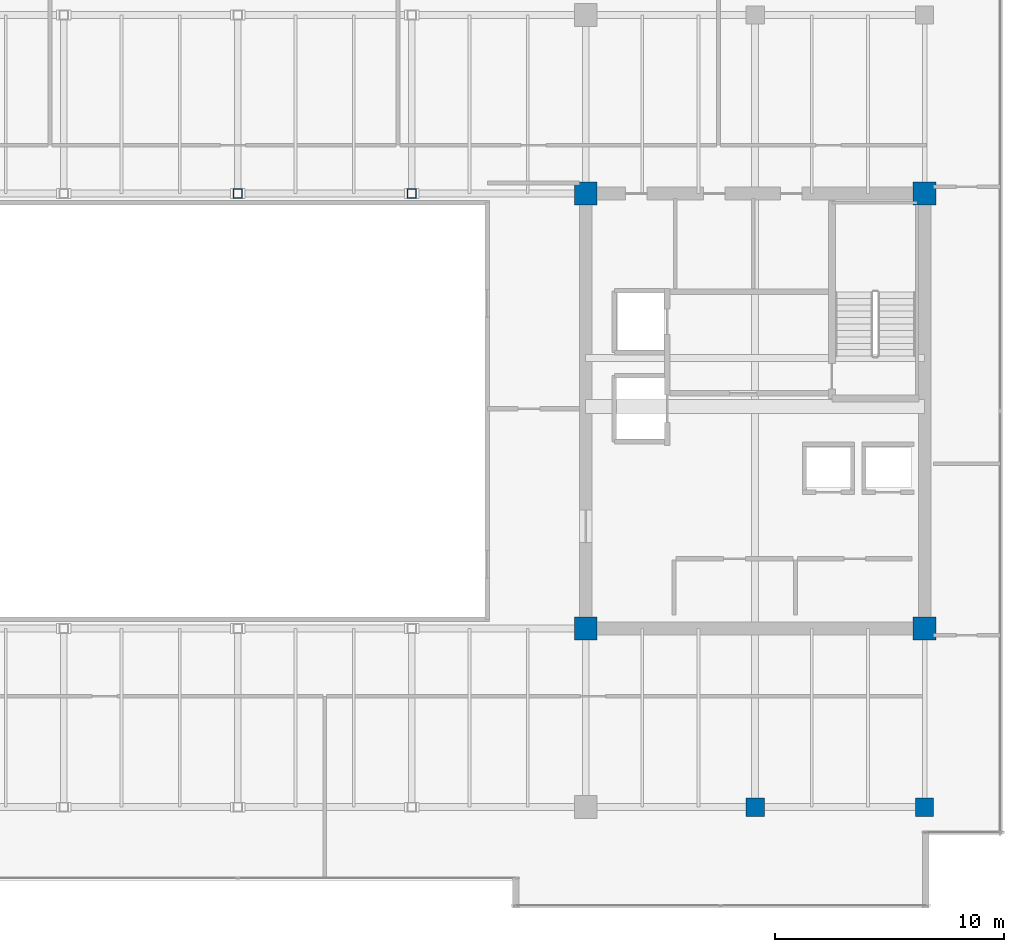
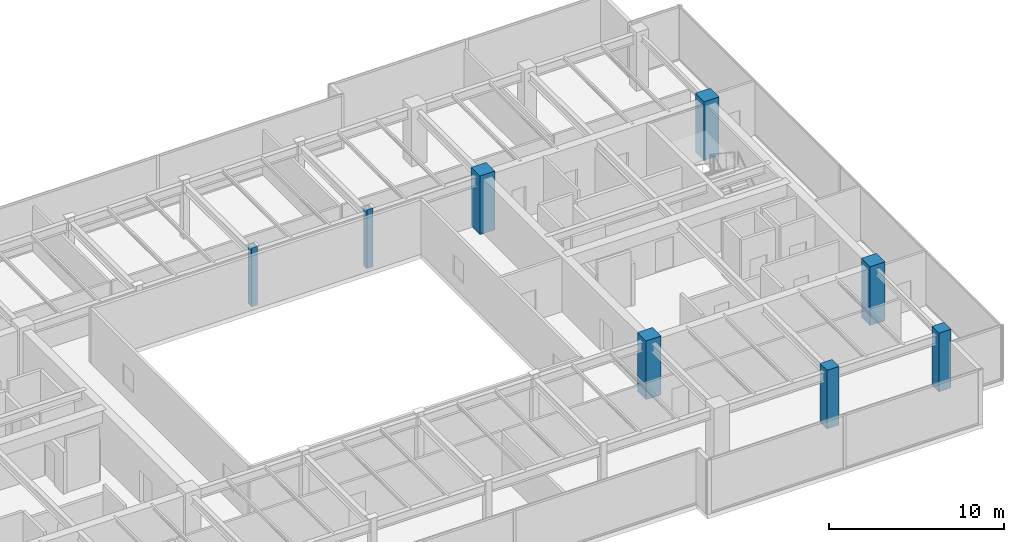
# One storey, part 2 of 33: 8 columns.
"""IFC4 building model written with IfcOpenShell, lengths in metres."""

from ifc_helpers import new_model, si_unit, direction, frame, origin, origin_2d, place, context, subcontext, project, spatial, rectangle, hollow_rectangle, extrude, source, transform, mapped, material, material_profile, profile_set, type_object, type_shapes, element, save


model = new_model("IFC4")

# Units and contexts
model_context = context("Model", 3, precision=1e-05, world=origin(), true_north=direction((0.0, 1.0)))
body_context = subcontext(model_context, "Body", "Model", "MODEL_VIEW")
ifc_project = project(units=[si_unit("LENGTHUNIT", "METRE"), si_unit("AREAUNIT", "SQUARE_METRE"), si_unit("VOLUMEUNIT", "CUBIC_METRE"), si_unit("PLANEANGLEUNIT", "RADIAN"), si_unit("MASSUNIT", "GRAM", prefix="KILO")], contexts=[model_context])

# Site, building, storey
site_placement = place(None, origin())
site = spatial("IfcSite", under=ifc_project, at=site_placement, CompositionType="ELEMENT")
building_placement = place(site_placement, origin())
building = spatial("IfcBuilding", under=site, at=building_placement, Name="Haelvirn Gate Laboratories", CompositionType="ELEMENT")
storey_placement = place(building_placement, frame((0.0, 0.0, 287.5)))
storey = spatial("IfcBuildingStorey", under=building, at=storey_placement, Name="L69", CompositionType="ELEMENT", Elevation=287.5)

# Columns
ifc_material_1 = material(Name="Concrete C60/75", Category="concrete")
ifc_material_profile_1 = material_profile(ifc_material_1, rectangle(XDim=1.0, YDim=1.0, at=origin_2d()), Name="RC-1000x1000")
ifc_profile_set_1 = profile_set([ifc_material_profile_1], Name="Concrete C60/75")
column_type_1 = type_object("IfcColumnType", Name="COL-RC-1000", PredefinedType="COLUMN", material=ifc_profile_set_1)
shared_shape_1 = source(origin(), body_context, "Body", "SweptSolid", [
    extrude(rectangle(XDim=1.0, YDim=1.0, at=origin_2d()), origin(), (0.0, 0.0, 1.0), 4.10009765625),
])
type_shapes(column_type_1, [shared_shape_1])
for number, where, z_axis, x_axis, name in (
    (1, (52.60009765625, 14.800048828125, 0.0), (0.0, 0.0, 1.0), (1.0, 0.0, 0.0), "L69 Column 8C"),
    (2, (67.39990234375, 14.800048828125, 0.0), (0.0, 0.0, 1.0), (1.0, 0.0, 0.0), "L69 Column 10C"),
    (3, (52.60009765625, 33.800048828125, 0.0), (0.0, 0.0, 1.0), (1.0, 0.0, 0.0), "L69 Column 8F"),
    (4, (67.39990234375, 33.800048828125, 0.0), (0.0, 0.0, 1.0), (1.0, 0.0, 0.0), "L69 Column 10F"),
):
    element("IfcColumn", number, at=place(storey_placement, frame(where, z_axis=z_axis, x_axis=x_axis)), inside=storey, type_object=column_type_1, Name=name, PredefinedType="COLUMN", context=body_context, shape_type="MappedRepresentation", body=[
        mapped(shared_shape_1, transform((0.0, 0.0, 0.0), scale=1.0)),
    ])
ifc_material_2 = material(Name="Concrete C50/60", Category="concrete")
ifc_material_profile_2 = material_profile(ifc_material_2, rectangle(XDim=0.800048828125, YDim=0.800048828125, at=origin_2d()), Name="RC-800x800")
ifc_profile_set_2 = profile_set([ifc_material_profile_2], Name="Concrete C50/60")
column_type_2 = type_object("IfcColumnType", Name="COL-RC-800", PredefinedType="COLUMN", material=ifc_profile_set_2)
shared_shape_2 = source(origin(), body_context, "Body", "SweptSolid", [
    extrude(rectangle(XDim=0.800048828125, YDim=0.800048828125, at=origin_2d()), origin(), (0.0, 0.0, 1.0), 4.10009765625),
])
type_shapes(column_type_2, [shared_shape_2])
for number, where, z_axis, x_axis, name in (
    (5, (60.0, 7.0, 0.0), (0.0, 0.0, 1.0), (1.0, 0.0, 0.0), "L69 Column 9B"),
    (6, (67.39990234375, 7.0, 0.0), (0.0, 0.0, 1.0), (1.0, 0.0, 0.0), "L69 Column 10B"),
):
    element("IfcColumn", number, at=place(storey_placement, frame(where, z_axis=z_axis, x_axis=x_axis)), inside=storey, type_object=column_type_2, Name=name, PredefinedType="COLUMN", context=body_context, shape_type="MappedRepresentation", body=[
        mapped(shared_shape_2, transform((0.0, 0.0, 0.0), scale=1.0)),
    ])
ifc_material_3 = material(Name="Steel SM355", Category="steel")
ifc_material_profile_3 = material_profile(ifc_material_3, hollow_rectangle(XDim=0.39990234375, YDim=0.39990234375, WallThickness=0.01904296875, at=origin_2d()), Name="BOX-400x400x19")
ifc_profile_set_3 = profile_set([ifc_material_profile_3], Name="Steel SM355")
column_type_3 = type_object("IfcColumnType", Name="COL-BOX-400", PredefinedType="COLUMN", material=ifc_profile_set_3)
shared_shape_3 = source(origin(), body_context, "Body", "SweptSolid", [
    extrude(hollow_rectangle(XDim=0.39990234375, YDim=0.39990234375, WallThickness=0.01904296875, at=origin_2d()), origin(), (0.0, 0.0, 1.0), 4.10009765625),
])
type_shapes(column_type_3, [shared_shape_3])
for number, where, z_axis, x_axis, name in (
    (7, (37.39990234375, 33.800048828125, 0.0), (0.0, 0.0, 1.0), (1.0, 0.0, 0.0), "L69 Column 6F"),
    (8, (45.0, 33.800048828125, 0.0), (0.0, 0.0, 1.0), (1.0, 0.0, 0.0), "L69 Column 7F"),
):
    element("IfcColumn", number, at=place(storey_placement, frame(where, z_axis=z_axis, x_axis=x_axis)), inside=storey, type_object=column_type_3, Name=name, PredefinedType="COLUMN", context=body_context, shape_type="MappedRepresentation", body=[
        mapped(shared_shape_3, transform((0.0, 0.0, 0.0), scale=1.0)),
    ])

save(model, "model.ifc")
